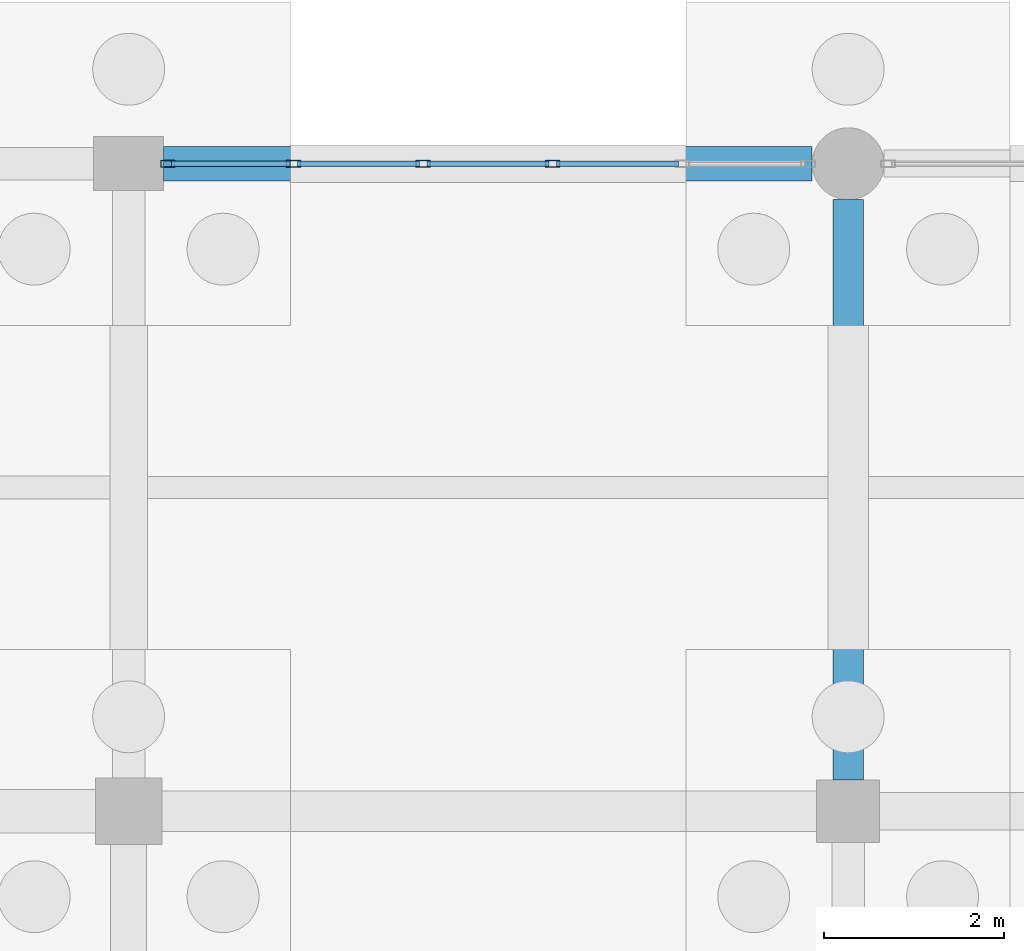
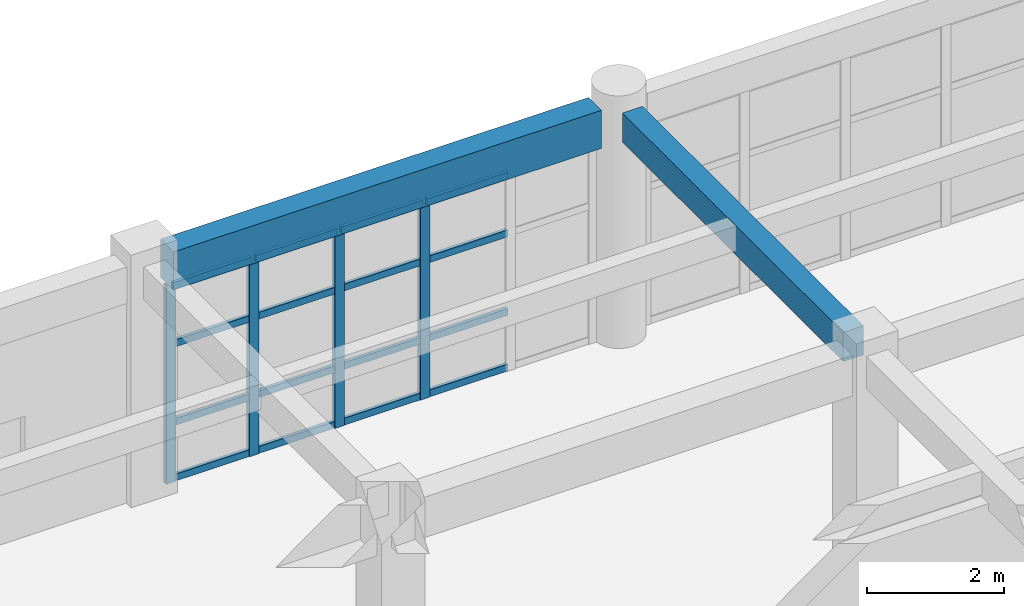
# One storey, part 105 of 166: 20 members, 2 beams, 1 element without a shape of its own.
"""IFC4 building model written with IfcOpenShell, lengths in metres."""

from ifc_helpers import new_model, si_unit, direction, frame, origin, origin_2d, place, context, subcontext, project, spatial, rectangle, hollow_rectangle, extrude, material, material_profile, profile_set, type_object, element, aggregate, save


model = new_model("IFC4")

# Units and contexts
model_context = context("Model", 3, precision=1e-05, world=origin(), true_north=direction((0.0, 1.0)))
body_context = subcontext(model_context, "Body", "Model", "MODEL_VIEW")
ifc_project = project(units=[si_unit("LENGTHUNIT", "METRE"), si_unit("AREAUNIT", "SQUARE_METRE"), si_unit("VOLUMEUNIT", "CUBIC_METRE"), si_unit("PLANEANGLEUNIT", "RADIAN"), si_unit("MASSUNIT", "GRAM", prefix="KILO")], contexts=[model_context])

# Site, building, storey
site_placement = place(None, origin())
site = spatial("IfcSite", under=ifc_project, at=site_placement, CompositionType="ELEMENT")
building_placement = place(site_placement, origin())
building = spatial("IfcBuilding", under=site, at=building_placement, Name="Kharva Crest Polytechnic", CompositionType="ELEMENT")
storey_placement = place(building_placement, origin())
storey = spatial("IfcBuildingStorey", under=building, at=storey_placement, Name="L00", CompositionType="ELEMENT", Elevation=0.0)

# Beam
ifc_material_1 = material(Name="Concrete C35/45", Category="concrete")
ifc_material_profile_1 = material_profile(ifc_material_1, rectangle(XDim=0.340087890625, YDim=0.52001953125, at=origin_2d()), Name="RECT 340 X 520")
ifc_profile_set_1 = profile_set([ifc_material_profile_1], Name="Concrete C35/45")
beam_type_1 = type_object("IfcBeamType", Name="BM-RC-340X520", PredefinedType="BEAM", material=ifc_profile_set_1)
beam_1_placement = place(storey_placement, frame((168.800048828125, 115.14990234375, 3.9599609375), z_axis=(0.0, 1.0, 0.0), x_axis=(-1.0, 0.0, 0.0)))
element("IfcBeam", 1, at=beam_1_placement, inside=storey, type_object=beam_type_1, Name="L00 Girder 22/R-S", PredefinedType="BEAM", context=body_context, shape_type="SweptSolid", body=[
    extrude(rectangle(XDim=0.340087890625, YDim=0.52001953125, at=origin_2d()), origin(), (0.0, 0.0, 1.0), 6.4501953125),
])

# Curtain wall, members
ifc_material_2 = material(Name="Tempered insulated glass", Category="glass")
curtain_wall_type = type_object("IfcCurtainWallType", Name="CW-SYS-COURT", PredefinedType="USERDEFINED", material=ifc_material_2)
curtain_wall_placement = place(storey_placement, origin())
curtain_wall = element("IfcCurtainWall", 2, at=curtain_wall_placement, inside=storey, type_object=curtain_wall_type, Name="L00 Glazed Curtain Wall CW-022", ObjectType="CURTAIN WALL", PredefinedType="USERDEFINED")
ifc_material_3 = material(Name="Steel S355", Category="steel")
ifc_material_profile_2 = material_profile(ifc_material_3, hollow_rectangle(XDim=0.080078125, YDim=0.159912109375, WallThickness=0.0048828125, at=origin_2d()), Name="RHS 160X80X5.0")
ifc_profile_set_2 = profile_set([ifc_material_profile_2], Name="Steel S355")
member_type_1 = type_object("IfcMemberType", Name="CWM-RHS160X80", PredefinedType="MULLION", material=ifc_profile_set_2)
member_1_placement = place(storey_placement, frame((165.514892578125, 122.0, 0.0), z_axis=(0.0, 0.0, 1.0), x_axis=(0.0, -1.0, 0.0)))
member_1 = element("IfcMember", 3, at=member_1_placement, type_object=member_type_1, Name="CW-022 mullion 3", PredefinedType="MULLION", context=body_context, shape_type="SweptSolid", body=[
    extrude(hollow_rectangle(XDim=0.080078125, YDim=0.159912109375, WallThickness=0.0048828125, at=origin_2d()), origin(), (0.0, 0.0, 1.0), 3.5400390625),
])
member_2_placement = place(storey_placement, frame((164.074951171875, 122.0, 0.0), z_axis=(0.0, 0.0, 1.0), x_axis=(0.0, -1.0, 0.0)))
member_2 = element("IfcMember", 4, at=member_2_placement, type_object=member_type_1, Name="CW-022 mullion 4", PredefinedType="MULLION", context=body_context, shape_type="SweptSolid", body=[
    extrude(hollow_rectangle(XDim=0.080078125, YDim=0.159912109375, WallThickness=0.0048828125, at=origin_2d()), origin(), (0.0, 0.0, 1.0), 3.5400390625),
])
member_3_placement = place(storey_placement, frame((162.635009765625, 122.0, 0.0), z_axis=(0.0, 0.0, 1.0), x_axis=(0.0, -1.0, 0.0)))
member_3 = element("IfcMember", 5, at=member_3_placement, type_object=member_type_1, Name="CW-022 mullion 5", PredefinedType="MULLION", context=body_context, shape_type="SweptSolid", body=[
    extrude(hollow_rectangle(XDim=0.080078125, YDim=0.159912109375, WallThickness=0.0048828125, at=origin_2d()), origin(), (0.0, 0.0, 1.0), 3.5400390625),
])
member_4_placement = place(storey_placement, frame((161.235107421875, 122.0, 0.0), z_axis=(0.0, 0.0, 1.0), x_axis=(0.0, -1.0, 0.0)))
member_4 = element("IfcMember", 6, at=member_4_placement, type_object=member_type_1, Name="CW-022 mullion 6", PredefinedType="MULLION", context=body_context, shape_type="SweptSolid", body=[
    extrude(hollow_rectangle(XDim=0.080078125, YDim=0.159912109375, WallThickness=0.0048828125, at=origin_2d()), origin(), (0.0, 0.0, 1.0), 3.5400390625),
])
ifc_material_profile_3 = material_profile(ifc_material_3, hollow_rectangle(XDim=0.06005859375, YDim=0.1201171875, WallThickness=0.00390625, at=origin_2d()), Name="RHS 120X60X4.0")
ifc_profile_set_3 = profile_set([ifc_material_profile_3], Name="Steel S355")
member_type_2 = type_object("IfcMemberType", Name="CWT-RHS120X60", PredefinedType="USERDEFINED", material=ifc_profile_set_3)
member_5_placement = place(storey_placement, frame((166.9150390625, 122.0, 0.06005859375), z_axis=(-1.0, 0.0, 0.0), x_axis=(0.0, -1.0, 0.0)))
member_5 = element("IfcMember", 7, at=member_5_placement, type_object=member_type_2, Name="CW-022 transom 2.1", ObjectType="TRANSOM", PredefinedType="USERDEFINED", context=body_context, shape_type="SweptSolid", body=[
    extrude(hollow_rectangle(XDim=0.06005859375, YDim=0.1201171875, WallThickness=0.00390625, at=origin_2d()), origin(), (0.0, 0.0, 1.0), 1.360107421875),
])
member_6_placement = place(storey_placement, frame((166.9150390625, 122.0, 1.050048828125), z_axis=(-1.0, 0.0, 0.0), x_axis=(0.0, -1.0, 0.0)))
member_6 = element("IfcMember", 8, at=member_6_placement, type_object=member_type_2, Name="CW-022 transom 2.2", ObjectType="TRANSOM", PredefinedType="USERDEFINED", context=body_context, shape_type="SweptSolid", body=[
    extrude(hollow_rectangle(XDim=0.06005859375, YDim=0.1201171875, WallThickness=0.00390625, at=origin_2d()), origin(), (0.0, 0.0, 1.0), 1.360107421875),
])
member_7_placement = place(storey_placement, frame((166.9150390625, 122.0, 2.449951171875), z_axis=(-1.0, 0.0, 0.0), x_axis=(0.0, -1.0, 0.0)))
member_7 = element("IfcMember", 9, at=member_7_placement, type_object=member_type_2, Name="CW-022 transom 2.3", ObjectType="TRANSOM", PredefinedType="USERDEFINED", context=body_context, shape_type="SweptSolid", body=[
    extrude(hollow_rectangle(XDim=0.06005859375, YDim=0.1201171875, WallThickness=0.00390625, at=origin_2d()), origin(), (0.0, 0.0, 1.0), 1.360107421875),
])
member_8_placement = place(storey_placement, frame((166.9150390625, 122.0, 3.47998046875), z_axis=(-1.0, 0.0, 0.0), x_axis=(0.0, -1.0, 0.0)))
member_8 = element("IfcMember", 10, at=member_8_placement, type_object=member_type_2, Name="CW-022 transom 2.4", ObjectType="TRANSOM", PredefinedType="USERDEFINED", context=body_context, shape_type="SweptSolid", body=[
    extrude(hollow_rectangle(XDim=0.06005859375, YDim=0.1201171875, WallThickness=0.00390625, at=origin_2d()), origin(), (0.0, 0.0, 1.0), 1.360107421875),
])
member_9_placement = place(storey_placement, frame((165.47509765625, 122.0, 0.06005859375), z_axis=(-1.0, 0.0, 0.0), x_axis=(0.0, -1.0, 0.0)))
member_9 = element("IfcMember", 11, at=member_9_placement, type_object=member_type_2, Name="CW-022 transom 3.1", ObjectType="TRANSOM", PredefinedType="USERDEFINED", context=body_context, shape_type="SweptSolid", body=[
    extrude(hollow_rectangle(XDim=0.06005859375, YDim=0.1201171875, WallThickness=0.00390625, at=origin_2d()), origin(), (0.0, 0.0, 1.0), 1.360107421875),
])
member_10_placement = place(storey_placement, frame((165.47509765625, 122.0, 1.050048828125), z_axis=(-1.0, 0.0, 0.0), x_axis=(0.0, -1.0, 0.0)))
member_10 = element("IfcMember", 12, at=member_10_placement, type_object=member_type_2, Name="CW-022 transom 3.2", ObjectType="TRANSOM", PredefinedType="USERDEFINED", context=body_context, shape_type="SweptSolid", body=[
    extrude(hollow_rectangle(XDim=0.06005859375, YDim=0.1201171875, WallThickness=0.00390625, at=origin_2d()), origin(), (0.0, 0.0, 1.0), 1.360107421875),
])
member_11_placement = place(storey_placement, frame((165.47509765625, 122.0, 2.449951171875), z_axis=(-1.0, 0.0, 0.0), x_axis=(0.0, -1.0, 0.0)))
member_11 = element("IfcMember", 13, at=member_11_placement, type_object=member_type_2, Name="CW-022 transom 3.3", ObjectType="TRANSOM", PredefinedType="USERDEFINED", context=body_context, shape_type="SweptSolid", body=[
    extrude(hollow_rectangle(XDim=0.06005859375, YDim=0.1201171875, WallThickness=0.00390625, at=origin_2d()), origin(), (0.0, 0.0, 1.0), 1.360107421875),
])
member_12_placement = place(storey_placement, frame((165.47509765625, 122.0, 3.47998046875), z_axis=(-1.0, 0.0, 0.0), x_axis=(0.0, -1.0, 0.0)))
member_12 = element("IfcMember", 14, at=member_12_placement, type_object=member_type_2, Name="CW-022 transom 3.4", ObjectType="TRANSOM", PredefinedType="USERDEFINED", context=body_context, shape_type="SweptSolid", body=[
    extrude(hollow_rectangle(XDim=0.06005859375, YDim=0.1201171875, WallThickness=0.00390625, at=origin_2d()), origin(), (0.0, 0.0, 1.0), 1.360107421875),
])
member_13_placement = place(storey_placement, frame((164.034912109375, 122.0, 0.06005859375), z_axis=(-1.0, 0.0, 0.0), x_axis=(0.0, -1.0, 0.0)))
member_13 = element("IfcMember", 15, at=member_13_placement, type_object=member_type_2, Name="CW-022 transom 4.1", ObjectType="TRANSOM", PredefinedType="USERDEFINED", context=body_context, shape_type="SweptSolid", body=[
    extrude(hollow_rectangle(XDim=0.06005859375, YDim=0.1201171875, WallThickness=0.00390625, at=origin_2d()), origin(), (0.0, 0.0, 1.0), 1.35986328125),
])
member_14_placement = place(storey_placement, frame((164.034912109375, 122.0, 1.050048828125), z_axis=(-1.0, 0.0, 0.0), x_axis=(0.0, -1.0, 0.0)))
member_14 = element("IfcMember", 16, at=member_14_placement, type_object=member_type_2, Name="CW-022 transom 4.2", ObjectType="TRANSOM", PredefinedType="USERDEFINED", context=body_context, shape_type="SweptSolid", body=[
    extrude(hollow_rectangle(XDim=0.06005859375, YDim=0.1201171875, WallThickness=0.00390625, at=origin_2d()), origin(), (0.0, 0.0, 1.0), 1.35986328125),
])
member_15_placement = place(storey_placement, frame((164.034912109375, 122.0, 2.449951171875), z_axis=(-1.0, 0.0, 0.0), x_axis=(0.0, -1.0, 0.0)))
member_15 = element("IfcMember", 17, at=member_15_placement, type_object=member_type_2, Name="CW-022 transom 4.3", ObjectType="TRANSOM", PredefinedType="USERDEFINED", context=body_context, shape_type="SweptSolid", body=[
    extrude(hollow_rectangle(XDim=0.06005859375, YDim=0.1201171875, WallThickness=0.00390625, at=origin_2d()), origin(), (0.0, 0.0, 1.0), 1.35986328125),
])
member_16_placement = place(storey_placement, frame((164.034912109375, 122.0, 3.47998046875), z_axis=(-1.0, 0.0, 0.0), x_axis=(0.0, -1.0, 0.0)))
member_16 = element("IfcMember", 18, at=member_16_placement, type_object=member_type_2, Name="CW-022 transom 4.4", ObjectType="TRANSOM", PredefinedType="USERDEFINED", context=body_context, shape_type="SweptSolid", body=[
    extrude(hollow_rectangle(XDim=0.06005859375, YDim=0.1201171875, WallThickness=0.00390625, at=origin_2d()), origin(), (0.0, 0.0, 1.0), 1.35986328125),
])
member_17_placement = place(storey_placement, frame((162.594970703125, 122.0, 0.06005859375), z_axis=(-1.0, 0.0, 0.0), x_axis=(0.0, -1.0, 0.0)))
member_17 = element("IfcMember", 19, at=member_17_placement, type_object=member_type_2, Name="CW-022 transom 5.1", ObjectType="TRANSOM", PredefinedType="USERDEFINED", context=body_context, shape_type="SweptSolid", body=[
    extrude(hollow_rectangle(XDim=0.06005859375, YDim=0.1201171875, WallThickness=0.00390625, at=origin_2d()), origin(), (0.0, 0.0, 1.0), 1.320068359375),
])
member_18_placement = place(storey_placement, frame((162.594970703125, 122.0, 1.050048828125), z_axis=(-1.0, 0.0, 0.0), x_axis=(0.0, -1.0, 0.0)))
member_18 = element("IfcMember", 20, at=member_18_placement, type_object=member_type_2, Name="CW-022 transom 5.2", ObjectType="TRANSOM", PredefinedType="USERDEFINED", context=body_context, shape_type="SweptSolid", body=[
    extrude(hollow_rectangle(XDim=0.06005859375, YDim=0.1201171875, WallThickness=0.00390625, at=origin_2d()), origin(), (0.0, 0.0, 1.0), 1.320068359375),
])
member_19_placement = place(storey_placement, frame((162.594970703125, 122.0, 2.449951171875), z_axis=(-1.0, 0.0, 0.0), x_axis=(0.0, -1.0, 0.0)))
member_19 = element("IfcMember", 21, at=member_19_placement, type_object=member_type_2, Name="CW-022 transom 5.3", ObjectType="TRANSOM", PredefinedType="USERDEFINED", context=body_context, shape_type="SweptSolid", body=[
    extrude(hollow_rectangle(XDim=0.06005859375, YDim=0.1201171875, WallThickness=0.00390625, at=origin_2d()), origin(), (0.0, 0.0, 1.0), 1.320068359375),
])
member_20_placement = place(storey_placement, frame((162.594970703125, 122.0, 3.47998046875), z_axis=(-1.0, 0.0, 0.0), x_axis=(0.0, -1.0, 0.0)))
member_20 = element("IfcMember", 22, at=member_20_placement, type_object=member_type_2, Name="CW-022 transom 5.4", ObjectType="TRANSOM", PredefinedType="USERDEFINED", context=body_context, shape_type="SweptSolid", body=[
    extrude(hollow_rectangle(XDim=0.06005859375, YDim=0.1201171875, WallThickness=0.00390625, at=origin_2d()), origin(), (0.0, 0.0, 1.0), 1.320068359375),
])
aggregate(curtain_wall, [member_1, member_2, member_3, member_4, member_5, member_6, member_7, member_8, member_9, member_10, member_11, member_12, member_13, member_14, member_15, member_16, member_17, member_18, member_19, member_20])

# Beam
ifc_material_profile_4 = material_profile(ifc_material_1, rectangle(XDim=0.3798828125, YDim=0.679931640625, at=origin_2d()), Name="RECT 380 X 680")
ifc_profile_set_4 = profile_set([ifc_material_profile_4], Name="Concrete C35/45")
beam_type_2 = type_object("IfcBeamType", Name="SP-RC-380X680", PredefinedType="SPANDREL", material=ifc_profile_set_4)
beam_2_placement = place(storey_placement, frame((161.18994140625, 122.0, 3.8798828125), z_axis=(1.0, 0.0, 0.0), x_axis=(0.0, 1.0, 0.0)))
element("IfcBeam", 23, at=beam_2_placement, inside=storey, type_object=beam_type_2, Name="L00 Beam S/21-22", PredefinedType="SPANDREL", context=body_context, shape_type="SweptSolid", body=[
    extrude(rectangle(XDim=0.3798828125, YDim=0.679931640625, at=origin_2d()), origin(), (0.0, 0.0, 1.0), 7.2099609375),
])

save(model, "model.ifc")
